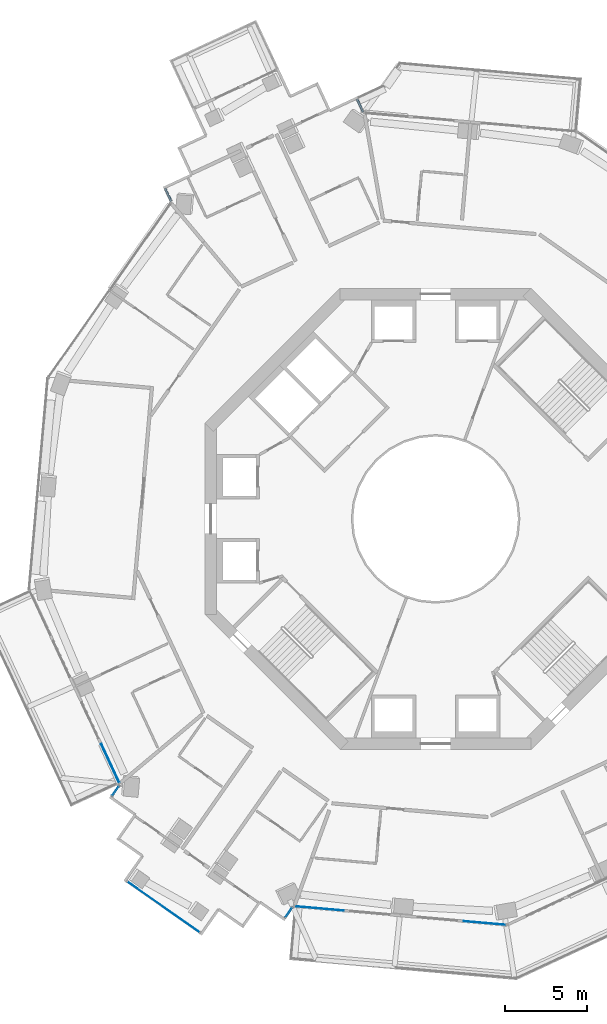
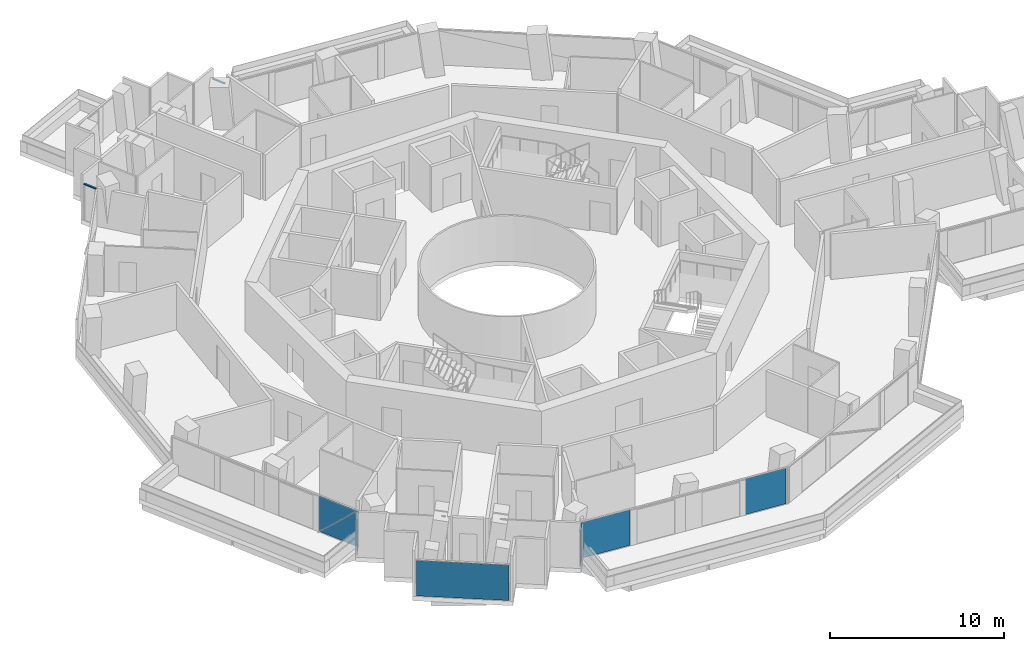
# One storey, part 10 of 23: 7 plates, 4 members, 7 elements without a shape of their own.
"""IFC4 building model written with IfcOpenShell, lengths in metres."""

from ifc_helpers import new_model, si_unit, direction, frame, origin, origin_2d, place, context, subcontext, project, spatial, polyline, rectangle, outline, extrude, material, layer, layer_set, material_profile, profile_set, type_object, element, aggregate, save


model = new_model("IFC4")

# Units and contexts
model_context = context("Model", 3, precision=1e-05, world=origin(), true_north=direction((0.0, 1.0)))
body_context = subcontext(model_context, "Body", "Model", "MODEL_VIEW")
ifc_project = project(units=[si_unit("LENGTHUNIT", "METRE"), si_unit("AREAUNIT", "SQUARE_METRE"), si_unit("VOLUMEUNIT", "CUBIC_METRE"), si_unit("PLANEANGLEUNIT", "RADIAN"), si_unit("MASSUNIT", "GRAM", prefix="KILO")], contexts=[model_context])

# Site, building, storey
site_placement = place(None, origin())
site = spatial("IfcSite", under=ifc_project, at=site_placement, CompositionType="ELEMENT")
building_placement = place(site_placement, origin())
building = spatial("IfcBuilding", under=site, at=building_placement, Name="Verdalira Terraces Hotel", CompositionType="ELEMENT")
storey_placement = place(building_placement, frame((0.0, 0.0, 136.5)))
storey = spatial("IfcBuildingStorey", under=building, at=storey_placement, Name="L32", CompositionType="ELEMENT", Elevation=136.5)

# Curtain wall, member
ifc_material_1 = material(Name="Clear glass", Category="glass")
ifc_layer_1 = layer(ifc_material_1, 0.14990234375)
ifc_layer_set_1 = layer_set([ifc_layer_1], Name="CW2 curtain wall")
curtain_wall_type_1 = type_object("IfcCurtainWallType", Name="CW2 curtain wall", PredefinedType="NOTDEFINED", material=ifc_layer_set_1)
curtain_wall_1_placement = place(storey_placement, origin())
curtain_wall_1 = element("IfcCurtainWall", 1, at=curtain_wall_1_placement, inside=storey, type_object=curtain_wall_type_1, Name="CW2 curtain wall L32 edge 0", PredefinedType="NOTDEFINED")
ifc_material_2 = material(Name="Terracotta frame", Category="masonry")
ifc_material_profile = material_profile(ifc_material_2, rectangle(XDim=0.11499, YDim=0.064941, at=origin_2d()), Name="TR 65x115")
ifc_profile_set = profile_set([ifc_material_profile], Name="Terracotta frame")
member_type = type_object("IfcMemberType", Name="CW2 transom 65x115", PredefinedType="USERDEFINED", material=ifc_profile_set)
member_1_placement = place(storey_placement, frame((-4.411621, 24.703857, 2.507568), z_axis=(-0.42211503, 0.906542278, 0.0), x_axis=(-0.906542278, -0.42211503, 0.0)))
member_1 = element("IfcMember", 2, at=member_1_placement, type_object=member_type, Name="CW2 transom", ObjectType="TRANSOM", PredefinedType="USERDEFINED", context=body_context, shape_type="SweptSolid", body=[
    extrude(rectangle(XDim=0.11499, YDim=0.064941, at=origin_2d()), origin(), (0.0, 0.0, 1.0), 0.850098),
])
aggregate(curtain_wall_1, [member_1])

curtain_wall_2_placement = place(storey_placement, origin())
curtain_wall_2 = element("IfcCurtainWall", 3, at=curtain_wall_2_placement, inside=storey, type_object=curtain_wall_type_1, Name="CW2 curtain wall L32 edge 10", PredefinedType="NOTDEFINED")
member_2_placement = place(storey_placement, frame((-16.420166, 20.052002, 2.507568), z_axis=(0.421988873, -0.90660101, 0.0), x_axis=(0.90660101, 0.421988873, 0.0)))
member_2 = element("IfcMember", 4, at=member_2_placement, type_object=member_type, Name="CW2 transom", ObjectType="TRANSOM", PredefinedType="USERDEFINED", context=body_context, shape_type="SweptSolid", body=[
    extrude(rectangle(XDim=0.11499, YDim=0.064941, at=origin_2d()), origin(), (0.0, 0.0, 1.0), 0.849854),
])
aggregate(curtain_wall_2, [member_2])

curtain_wall_3_placement = place(storey_placement, origin())
curtain_wall_3 = element("IfcCurtainWall", 5, at=curtain_wall_3_placement, inside=storey, type_object=curtain_wall_type_1, Name="CW2 curtain wall L32 edge 14", PredefinedType="NOTDEFINED")
member_3_placement = place(storey_placement, frame((-19.188232, -16.172607, 2.507568), z_axis=(-0.574098236, -0.818786429, 0.0), x_axis=(0.818786429, -0.574098236, 0.0)))
member_3 = element("IfcMember", 6, at=member_3_placement, type_object=member_type, Name="CW2 transom", ObjectType="TRANSOM", PredefinedType="USERDEFINED", context=body_context, shape_type="SweptSolid", body=[
    extrude(rectangle(XDim=0.11499, YDim=0.064941, at=origin_2d()), origin(), (0.0, 0.0, 1.0), 0.850098),
])

curtain_wall_4_placement = place(storey_placement, origin())
curtain_wall_4 = element("IfcCurtainWall", 7, at=curtain_wall_4_placement, inside=storey, type_object=curtain_wall_type_1, Name="CW2 curtain wall L32 edge 24", PredefinedType="NOTDEFINED")
member_4_placement = place(storey_placement, frame((-9.155518, -24.246338, 2.507568), z_axis=(0.574233259, 0.81869174, 0.0), x_axis=(-0.81869174, 0.574233259, 0.0)))
member_4 = element("IfcMember", 8, at=member_4_placement, type_object=member_type, Name="CW2 transom", ObjectType="TRANSOM", PredefinedType="USERDEFINED", context=body_context, shape_type="SweptSolid", body=[
    extrude(rectangle(XDim=0.11499, YDim=0.064941, at=origin_2d()), origin(), (0.0, 0.0, 1.0), 0.849854),
])

# Curtain wall, plates
ifc_material_3 = material(Name="Clear glass", Category="glass")
ifc_layer_2 = layer(ifc_material_3, 0.14990234375)
ifc_layer_set_2 = layer_set([ifc_layer_2], Name="CW1 curtain wall")
curtain_wall_type_2 = type_object("IfcCurtainWallType", Name="CW1 curtain wall", PredefinedType="NOTDEFINED", material=ifc_layer_set_2)
curtain_wall_5_placement = place(storey_placement, origin())
curtain_wall_5 = element("IfcCurtainWall", 9, at=curtain_wall_5_placement, inside=storey, type_object=curtain_wall_type_2, Name="CW1 curtain wall L32 edge 13", PredefinedType="NOTDEFINED")
ifc_material_4 = material(Name="Clear glass", Category="glass")
ifc_layer_3 = layer(ifc_material_4, 0.028076171875)
ifc_layer_set_3 = layer_set([ifc_layer_3], Name="CW1 glass unit 28")
plate_type_1 = type_object("IfcPlateType", Name="CW1 glass unit 28", PredefinedType="CURTAIN_PANEL", material=ifc_layer_set_3)
plate_1_placement = place(storey_placement, frame((-19.743896, -14.856934, 1.237549), z_axis=(-0.906602609, -0.421985437, 0.0), x_axis=(0.421985437, -0.906602609, 0.0)))
plate_1 = element("IfcPlate", 10, at=plate_1_placement, type_object=plate_type_1, Name="CW1 glass unit", PredefinedType="CURTAIN_PANEL", context=body_context, shape_type="SweptSolid", body=[
    extrude(outline(polyline([(-1.302246, -1.237549), (1.302246, -1.237549), (1.302246, 1.237549), (-1.302246, -1.237549)])), origin(), (0.0, 0.0, 1.0), 0.028076),
])
plate_2_placement = place(storey_placement, frame((-19.717529, -14.844727, 1.237549), z_axis=(-0.906602609, -0.421985437, 0.0), x_axis=(0.421985437, -0.906602609, 0.0)))
plate_2 = element("IfcPlate", 11, at=plate_2_placement, type_object=plate_type_1, Name="CW1 glass unit", PredefinedType="CURTAIN_PANEL", context=body_context, shape_type="SweptSolid", body=[
    extrude(outline(polyline([(-1.302246, -1.237549), (1.302246, 1.237549), (-1.302246, 1.237549), (-1.302246, -1.237549)])), origin(), (0.0, 0.0, 1.0), 0.028076),
])
aggregate(curtain_wall_5, [plate_1, plate_2])

curtain_wall_6_placement = place(storey_placement, origin())
curtain_wall_6 = element("IfcCurtainWall", 12, at=curtain_wall_6_placement, inside=storey, type_object=curtain_wall_type_2, Name="CW1 curtain wall L32 edge 25", PredefinedType="NOTDEFINED")
plate_3_placement = place(storey_placement, frame((-7.062988, -23.654297, 0.0), z_axis=(0.0, 0.0, 1.0), x_axis=(0.996133609, -0.087851197, 0.0)))
plate_3 = element("IfcPlate", 13, at=plate_3_placement, type_object=plate_type_1, Name="CW1 glass unit", PredefinedType="CURTAIN_PANEL", context=body_context, shape_type="SweptSolid", body=[
    extrude(rectangle(XDim=2.965088, YDim=0.028076, at=origin_2d()), origin(), (0.0, 0.0, 1.0), 2.475098),
])
plate_4_placement = place(storey_placement, frame((2.973389, -24.539307, 0.0), z_axis=(0.0, 0.0, 1.0), x_axis=(0.996133609, -0.087851197, 0.0)))
plate_4 = element("IfcPlate", 14, at=plate_4_placement, type_object=plate_type_1, Name="CW1 glass unit", PredefinedType="CURTAIN_PANEL", context=body_context, shape_type="SweptSolid", body=[
    extrude(rectangle(XDim=2.564209, YDim=0.028076, at=origin_2d()), origin(), (0.0, 0.0, 1.0), 2.475098),
])
aggregate(curtain_wall_6, [plate_3, plate_4])

# Plate
ifc_material_5 = material(Name="Clear glass", Category="glass")
ifc_layer_4 = layer(ifc_material_5, 0.031982421875)
ifc_layer_set_4 = layer_set([ifc_layer_4], Name="CW2 glass unit 32")
plate_type_2 = type_object("IfcPlateType", Name="CW2 glass unit 32", PredefinedType="CURTAIN_PANEL", material=ifc_layer_set_4)
plate_5_placement = place(storey_placement, frame((-19.432373, -16.520508, 0.0), z_axis=(0.0, 0.0, 1.0), x_axis=(-0.574148173, -0.818751413, 0.0)))
plate_5 = element("IfcPlate", 15, at=plate_5_placement, type_object=plate_type_2, Name="CW2 glass unit", PredefinedType="CURTAIN_PANEL", context=body_context, shape_type="SweptSolid", body=[
    extrude(rectangle(XDim=0.709961, YDim=0.031982, at=origin_2d()), origin(), (0.0, 0.0, 1.0), 2.475098),
])

aggregate(curtain_wall_3, [member_3, plate_5])

plate_6_placement = place(storey_placement, frame((-8.911377, -23.898438, 0.0), z_axis=(0.0, 0.0, 1.0), x_axis=(0.574148173, 0.818751413, 0.0)))
plate_6 = element("IfcPlate", 16, at=plate_6_placement, type_object=plate_type_2, Name="CW2 glass unit", PredefinedType="CURTAIN_PANEL", context=body_context, shape_type="SweptSolid", body=[
    extrude(rectangle(XDim=0.709961, YDim=0.031982, at=origin_2d()), origin(), (0.0, 0.0, 1.0), 2.475098),
])

aggregate(curtain_wall_4, [member_4, plate_6])

# Curtain wall, plate
ifc_material_6 = material(Name="Clear glass", Category="glass")
ifc_layer_5 = layer(ifc_material_6, 0.14990234375)
ifc_layer_set_5 = layer_set([ifc_layer_5], Name="CW3 curtain wall")
curtain_wall_type_3 = type_object("IfcCurtainWallType", Name="CW3 curtain wall", PredefinedType="NOTDEFINED", material=ifc_layer_set_5)
curtain_wall_7_placement = place(storey_placement, origin())
curtain_wall_7 = element("IfcCurtainWall", 17, at=curtain_wall_7_placement, inside=storey, type_object=curtain_wall_type_3, Name="CW3 curtain wall L32 edge 19", PredefinedType="NOTDEFINED")
ifc_material_7 = material(Name="Clear glass", Category="glass")
ifc_layer_6 = layer(ifc_material_7, 0.035888671875)
ifc_layer_set_6 = layer_set([ifc_layer_6], Name="CW3 glass unit 36")
plate_type_3 = type_object("IfcPlateType", Name="CW3 glass unit 36", PredefinedType="CURTAIN_PANEL", material=ifc_layer_set_6)
plate_7_placement = place(storey_placement, frame((-16.525879, -23.566406, 0.0), z_axis=(0.0, 0.0, 1.0), x_axis=(0.818751413, -0.574148173, 0.0)))
plate_7 = element("IfcPlate", 18, at=plate_7_placement, type_object=plate_type_3, Name="CW3 glass unit", PredefinedType="CURTAIN_PANEL", context=body_context, shape_type="SweptSolid", body=[
    extrude(rectangle(XDim=5.340088, YDim=0.035889, at=origin_2d()), origin(), (0.0, 0.0, 1.0), 2.475098),
])
aggregate(curtain_wall_7, [plate_7])

save(model, "model.ifc")
